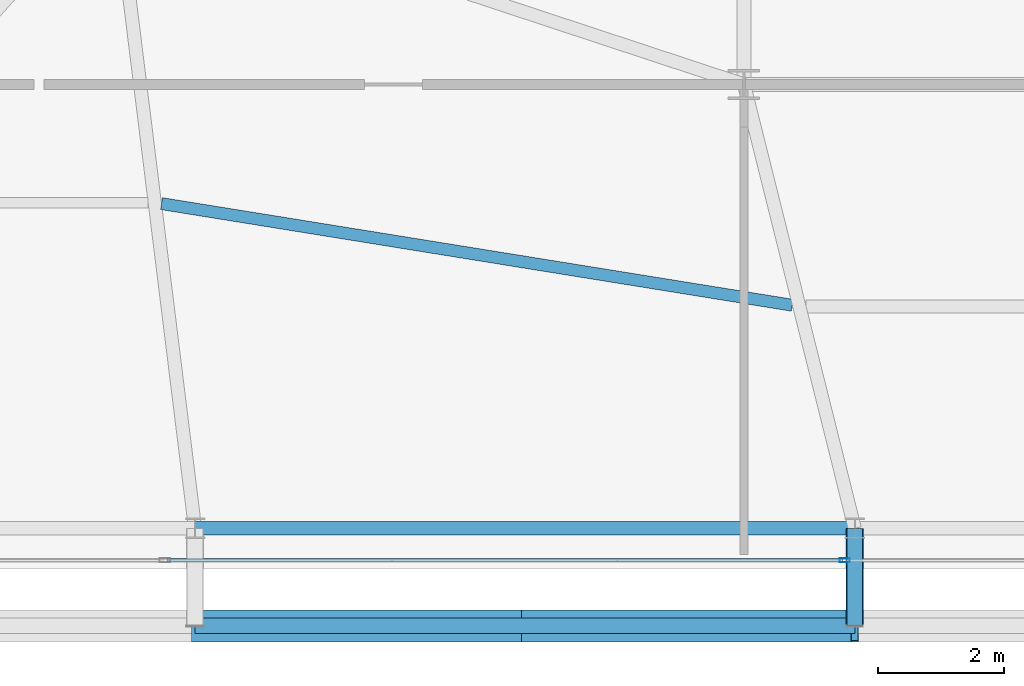
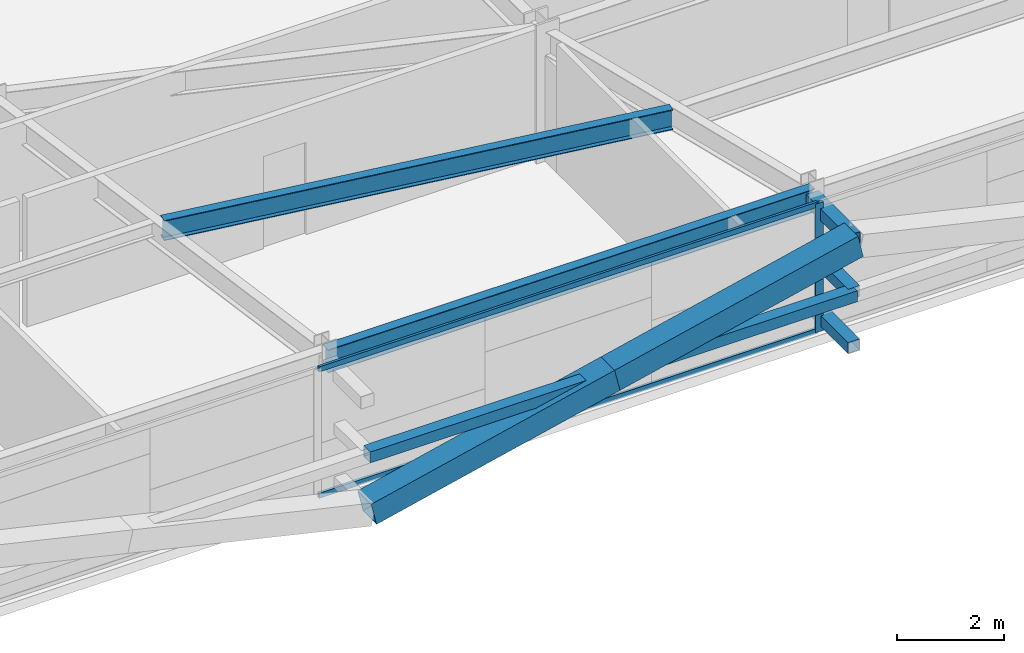
# One storey, part 9 of 44: 9 members, 2 beams, 1 element without a shape of its own.
"""IFC4 building model written with IfcOpenShell, lengths in metres."""

from ifc_helpers import new_model, si_unit, direction, frame, origin, origin_2d, place, context, subcontext, project, spatial, hollow_rectangle, i_section, extrude, source, transform, mapped, material, layer, layer_set, material_profile, profile_set, type_object, element, aggregate, save


model = new_model("IFC4")

# Units and contexts
model_context = context("Model", 3, precision=1e-05, world=origin(), true_north=direction((0.0, 1.0)))
body_context = subcontext(model_context, "Body", "Model", "MODEL_VIEW")
ifc_project = project(units=[si_unit("LENGTHUNIT", "METRE"), si_unit("AREAUNIT", "SQUARE_METRE"), si_unit("VOLUMEUNIT", "CUBIC_METRE"), si_unit("PLANEANGLEUNIT", "RADIAN"), si_unit("MASSUNIT", "GRAM", prefix="KILO")], contexts=[model_context])

# Site, building, storey
site_placement = place(None, origin())
site = spatial("IfcSite", under=ifc_project, at=site_placement, CompositionType="ELEMENT")
building_placement = place(site_placement, origin())
building = spatial("IfcBuilding", under=site, at=building_placement, Name="Taldren Reach Tower", CompositionType="ELEMENT")
storey_placement = place(building_placement, frame((0.0, 0.0, 38.85009765625)))
storey = spatial("IfcBuildingStorey", under=building, at=storey_placement, Name="L11", CompositionType="ELEMENT", Elevation=38.85009765625)

# Beams
ifc_material_1 = material(Name="Steel Gr 350 (350PLUS)", Category="steel")
ifc_material_profile_1 = material_profile(ifc_material_1, i_section(OverallWidth=0.208984375, OverallDepth=0.528076171875, WebThickness=0.009521484375, FlangeThickness=0.01318359375, at=origin_2d()), Name="530UB82.0")
ifc_profile_set_1 = profile_set([ifc_material_profile_1], Name="Steel Gr 350 (350PLUS)")
beam_type_1 = type_object("IfcBeamType", Name="SP-UB530B", PredefinedType="SPANDREL", material=ifc_profile_set_1)
shared_shape_1 = source(origin(), body_context, "Body", "SweptSolid", [
    extrude(i_section(OverallWidth=0.208984375, OverallDepth=0.528076171875, WebThickness=0.009521484375, FlangeThickness=0.01318359375, at=origin_2d()), origin(), (0.0, 0.0, 1.0), 10.47998046875),
])
beam_1_placement = place(storey_placement, frame((19.280029296875, 2.14990234375, 2.666015625), z_axis=(1.0, 0.0, 0.0), x_axis=(0.0, 1.0, 0.0)))
element("IfcBeam", 1, at=beam_1_placement, inside=storey, type_object=beam_type_1, Name="Perimeter spandrel B1 S2-S3 L11", PredefinedType="SPANDREL", context=body_context, shape_type="MappedRepresentation", body=[
    mapped(shared_shape_1, transform((0.0, 0.0, 0.0), scale=1.0)),
])
ifc_material_profile_2 = material_profile(ifc_material_1, i_section(OverallWidth=0.19091796875, OverallDepth=0.4599609375, WebThickness=0.010009765625, FlangeThickness=0.01611328125, at=origin_2d()), Name="460UB82.1")
ifc_profile_set_2 = profile_set([ifc_material_profile_2], Name="Steel Gr 350 (350PLUS)")
beam_type_2 = type_object("IfcBeamType", Name="BM-UB460A", PredefinedType="BEAM", material=ifc_profile_set_2)
shared_shape_2 = source(origin(), body_context, "Body", "SweptSolid", [
    extrude(i_section(OverallWidth=0.19091796875, OverallDepth=0.4599609375, WebThickness=0.010009765625, FlangeThickness=0.01611328125, at=origin_2d()), origin(), (0.0, 0.0, 1.0), 10.1494140625),
])
beam_2_placement = place(storey_placement, frame((18.74755859375, 7.3076171875, 2.699951171875), z_axis=(0.987266967452, -0.159072106224, 0.0), x_axis=(0.159072106224, 0.987266967452, 0.0)))
element("IfcBeam", 2, at=beam_2_placement, inside=storey, type_object=beam_type_2, Name="Secondary floor beam B1 J2 L11", PredefinedType="BEAM", context=body_context, shape_type="MappedRepresentation", body=[
    mapped(shared_shape_2, transform((0.0, 0.0, 0.0), scale=1.0)),
])

# Members
ifc_material_2 = material(Name="Steel Gr 450 (C450L0)", Category="steel")
ifc_material_profile_3 = material_profile(ifc_material_2, hollow_rectangle(XDim=0.27490234375, YDim=0.27490234375, WallThickness=0.00927734375, at=origin_2d()), Name="275x275x9.3SHS")
ifc_profile_set_3 = profile_set([ifc_material_profile_3], Name="Steel Gr 450 (C450L0)")
member_type_1 = type_object("IfcMemberType", Name="MB-TIE273", PredefinedType="STRUT", material=ifc_profile_set_3)
shared_shape_3 = source(origin(), body_context, "Body", "SweptSolid", [
    extrude(hollow_rectangle(XDim=0.27490234375, YDim=0.27490234375, WallThickness=0.00927734375, at=origin_2d()), origin(), (0.0, 0.0, 1.0), 1.5498046875),
])
member_1_placement = place(storey_placement, frame((29.760009765625, 2.14990234375, 2.64990234375), z_axis=(0.0, -1.0, 0.0), x_axis=(1.0, 0.0, 0.0)))
element("IfcMember", 3, at=member_1_placement, inside=storey, type_object=member_type_1, Name="Exoskeleton diaphragm tie strut B1-S3 L11", PredefinedType="STRUT", context=body_context, shape_type="MappedRepresentation", body=[
    mapped(shared_shape_3, transform((0.0, 0.0, 0.0), scale=1.0)),
])
ifc_material_profile_4 = material_profile(ifc_material_2, hollow_rectangle(XDim=0.510009765625, YDim=0.510009765625, WallThickness=0.02001953125, at=origin_2d()), Name="510x510x20.0SHS")
ifc_profile_set_4 = profile_set([ifc_material_profile_4], Name="Steel Gr 450 (C450L0)")
member_type_2 = type_object("IfcMemberType", Name="MB-EXO508", PredefinedType="BRACE", material=ifc_profile_set_4)
shared_shape_4 = source(origin(), body_context, "Body", "SweptSolid", [
    extrude(hollow_rectangle(XDim=0.510009765625, YDim=0.510009765625, WallThickness=0.02001953125, at=origin_2d()), origin(), (0.0, 0.0, 1.0), 5.37890625),
])
for number, where, z_axis, x_axis, name in (
    (4, (19.280029296875, 0.60009765625, 0.219970703125), (0.974161966843, 0.0, 0.225850531007), (0.0, 1.0, 0.0), "Exoskeleton Diagrid Brace B1-S2 L11"),
    (5, (24.52001953125, 0.60009765625, 1.434814453125), (0.97415197996, 0.0, 0.225893603143), (0.0, 1.0, 0.0), "Exoskeleton Diagrid Brace B1-S2 L11"),
):
    element("IfcMember", number, at=place(storey_placement, frame(where, z_axis=z_axis, x_axis=x_axis)), inside=storey, type_object=member_type_2, Name=name, PredefinedType="BRACE", context=body_context, shape_type="MappedRepresentation", body=[
        mapped(shared_shape_4, transform((0.0, 0.0, 0.0), scale=1.0)),
    ])
ifc_material_3 = material(Name="Steel Gr 350 (C350L0)", Category="steel")
ifc_material_profile_5 = material_profile(ifc_material_3, hollow_rectangle(XDim=0.25, YDim=0.25, WallThickness=0.010009765625, at=origin_2d()), Name="250x250x10.0SHS")
ifc_profile_set_5 = profile_set([ifc_material_profile_5], Name="Steel Gr 350 (C350L0)")
member_type_3 = type_object("IfcMemberType", Name="MB-POST250", PredefinedType="POST", material=ifc_profile_set_5)
shared_shape_5 = source(origin(), body_context, "Body", "SweptSolid", [
    extrude(hollow_rectangle(XDim=0.25, YDim=0.25, WallThickness=0.010009765625, at=origin_2d()), origin(), (0.0, 0.0, 1.0), 10.47998046875),
])
member_2_placement = place(storey_placement, frame((19.280029296875, 0.60009765625, 1.434814453125), z_axis=(1.0, 0.0, 0.0), x_axis=(0.0, 1.0, 0.0)))
element("IfcMember", 6, at=member_2_placement, inside=storey, type_object=member_type_3, Name="Exoskeleton mid-height ring chord B1-S2 L11", PredefinedType="POST", context=body_context, shape_type="MappedRepresentation", body=[
    mapped(shared_shape_5, transform((0.0, 0.0, 0.0), scale=1.0)),
])
shared_shape_6 = source(origin(), body_context, "Body", "SweptSolid", [
    extrude(hollow_rectangle(XDim=0.25, YDim=0.25, WallThickness=0.010009765625, at=origin_2d()), origin(), (0.0, 0.0, 1.0), 1.5498046875),
])
for number, where, z_axis, x_axis, name in (
    (7, (29.760009765625, 2.14990234375, 0.219970703125), (0.0, -1.0, 0.0), (1.0, 0.0, 0.0), "Exoskeleton base diaphragm tie strut B1-S3 L11"),
    (8, (29.760009765625, 2.14990234375, 1.434814453125), (0.0, -1.0, 0.0), (1.0, 0.0, 0.0), "Exoskeleton mid-tier diaphragm tie B1-S3 L11"),
):
    element("IfcMember", number, at=place(storey_placement, frame(where, z_axis=z_axis, x_axis=x_axis)), inside=storey, type_object=member_type_3, Name=name, PredefinedType="POST", context=body_context, shape_type="MappedRepresentation", body=[
        mapped(shared_shape_6, transform((0.0, 0.0, 0.0), scale=1.0)),
    ])

# Curtain wall, members
ifc_material_4 = material(Name="Aluminium and Low-E Glass Unitised System", Category="aluminium")
ifc_layer = layer(ifc_material_4, 0.159912109375)
ifc_layer_set = layer_set([ifc_layer], Name="Aluminium and Low-E Glass Unitised System")
curtain_wall_type = type_object("IfcCurtainWallType", Name="CW-SYS-2", PredefinedType="NOTDEFINED", material=ifc_layer_set)
curtain_wall_placement = place(storey_placement, origin())
curtain_wall = element("IfcCurtainWall", 9, at=curtain_wall_placement, inside=storey, type_object=curtain_wall_type, Name="Unitised curtain wall CW-L11-S", PredefinedType="NOTDEFINED")
ifc_material_5 = material(Name="Anodised Aluminium 6063-T6", Category="aluminium")
ifc_material_profile_6 = material_profile(ifc_material_5, hollow_rectangle(XDim=0.06494140625, YDim=0.1650390625, WallThickness=0.00390625, at=origin_2d()), Name="ALU-165x65x4RHS")
ifc_profile_set_6 = profile_set([ifc_material_profile_6], Name="Anodised Aluminium 6063-T6")
member_type_4 = type_object("IfcMemberType", Name="CW-MUL-165", PredefinedType="MULLION", material=ifc_profile_set_6)
shared_shape_7 = source(origin(), body_context, "Body", "SweptSolid", [
    extrude(hollow_rectangle(XDim=0.06494140625, YDim=0.1650390625, WallThickness=0.00390625, at=origin_2d()), origin(), (0.0, 0.0, 1.0), 2.929931640625),
])
member_3_placement = place(storey_placement, frame((29.60009765625, 1.639892578125, 0.0), z_axis=(0.0, 0.0, 1.0), x_axis=(0.0, 1.0, 0.0)))
member_3 = element("IfcMember", 10, at=member_3_placement, type_object=member_type_4, Name="CW-2 mullion 3", PredefinedType="MULLION", context=body_context, shape_type="MappedRepresentation", body=[
    mapped(shared_shape_7, transform((0.0, 0.0, 0.0), scale=1.0)),
])
ifc_material_profile_7 = material_profile(ifc_material_5, hollow_rectangle(XDim=0.054931640625, YDim=0.1201171875, WallThickness=0.0029296875, at=origin_2d()), Name="ALU-120x55x3RHS")
ifc_profile_set_7 = profile_set([ifc_material_profile_7], Name="Anodised Aluminium 6063-T6")
member_type_5 = type_object("IfcMemberType", Name="CW-TRN-135", PredefinedType="USERDEFINED", material=ifc_profile_set_7)
shared_shape_8 = source(origin(), body_context, "Body", "SweptSolid", [
    extrude(hollow_rectangle(XDim=0.054931640625, YDim=0.1201171875, WallThickness=0.0029296875, at=origin_2d()), origin(), (0.0, 0.0, 1.0), 10.73486328125),
])
member_4_placement = place(storey_placement, frame((18.83251953125, 1.639892578125, 0.02734375), z_axis=(1.0, 0.0, 0.0), x_axis=(0.0, 1.0, 0.0)))
member_4 = element("IfcMember", 11, at=member_4_placement, type_object=member_type_5, Name="CW-2 transom 2.1", ObjectType="TRANSOM", PredefinedType="USERDEFINED", context=body_context, shape_type="MappedRepresentation", body=[
    mapped(shared_shape_8, transform((0.0, 0.0, 0.0), scale=1.0)),
])
member_5_placement = place(storey_placement, frame((18.83251953125, 1.639892578125, 2.90234375), z_axis=(1.0, 0.0, 0.0), x_axis=(0.0, 1.0, 0.0)))
member_5 = element("IfcMember", 12, at=member_5_placement, type_object=member_type_5, Name="CW-2 transom 2.2", ObjectType="TRANSOM", PredefinedType="USERDEFINED", context=body_context, shape_type="MappedRepresentation", body=[
    mapped(shared_shape_8, transform((0.0, 0.0, 0.0), scale=1.0)),
])
aggregate(curtain_wall, [member_3, member_4, member_5])

save(model, "model.ifc")
